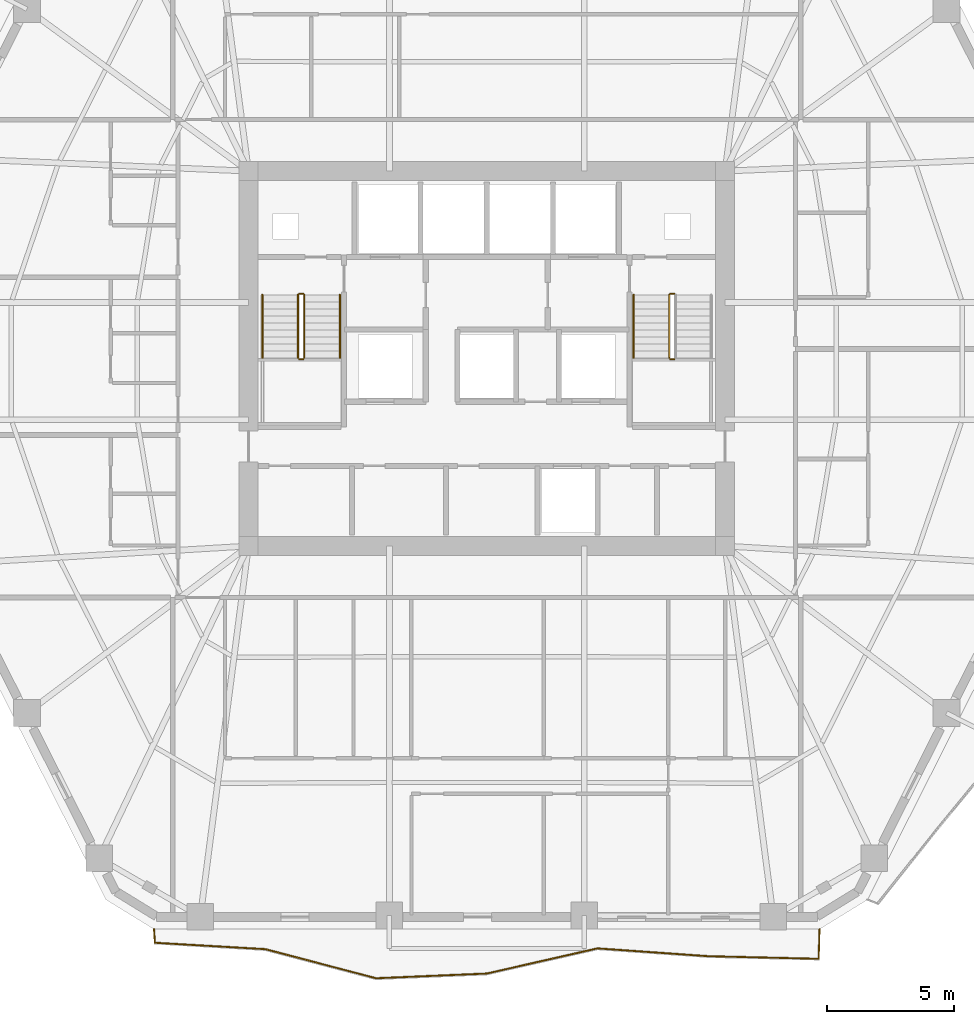
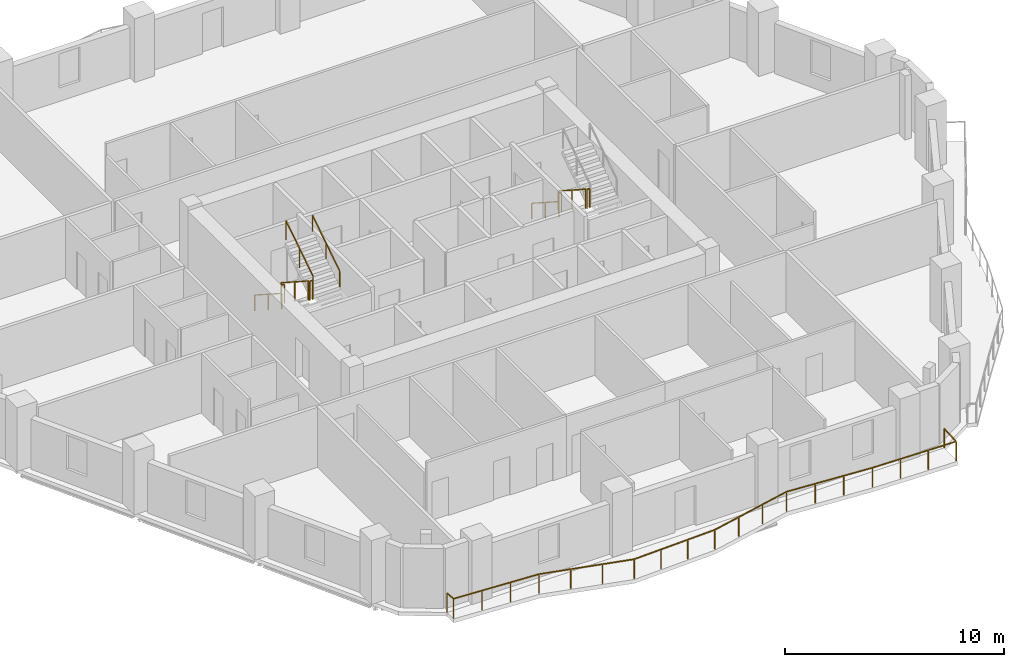
# One storey, part 9 of 10: 11 railings.
"""IFC4 building model written with IfcOpenShell, lengths in metres."""

from ifc_helpers import new_model, si_unit, direction, frame, origin, origin_2d, place, context, subcontext, project, spatial, rectangle, extrude, material, type_object, element, save


model = new_model("IFC4")

# Units and contexts
model_context = context("Model", 3, precision=1e-05, world=origin(), true_north=direction((0.0, 1.0)))
body_context = subcontext(model_context, "Body", "Model", "MODEL_VIEW")
ifc_project = project(units=[si_unit("LENGTHUNIT", "METRE"), si_unit("AREAUNIT", "SQUARE_METRE"), si_unit("VOLUMEUNIT", "CUBIC_METRE"), si_unit("PLANEANGLEUNIT", "RADIAN"), si_unit("MASSUNIT", "GRAM", prefix="KILO")], contexts=[model_context])

# Site, building, storey
site_placement = place(None, origin())
site = spatial("IfcSite", under=ifc_project, at=site_placement, CompositionType="ELEMENT")
building_placement = place(site_placement, origin())
building = spatial("IfcBuilding", under=site, at=building_placement, Name="Cinnabar Lancet Tower", CompositionType="ELEMENT")
storey_placement = place(building_placement, frame((0.0, 0.0, 119.699951171875)))
storey = spatial("IfcBuildingStorey", under=building, at=storey_placement, Name="L31", CompositionType="ELEMENT", Elevation=119.699951171875)

# Railings
ifc_material_1 = material(Name="Laminated safety glass and bronze stainless steel balustrade", Category="steel")
railing_type_1 = type_object("IfcRailingType", Name="ENV-RLG-BAL-1100", PredefinedType="BALUSTRADE", material=ifc_material_1)
railing_1_placement = place(storey_placement, frame((19.30810546875, 3.449951171875, 0.0)))
element("IfcRailing", 1, at=railing_1_placement, inside=storey, type_object=railing_type_1, Name="L31 Face 1 Wave Balcony Balustrade", PredefinedType="BALUSTRADE", context=body_context, shape_type="SweptSolid", body=[
    extrude(rectangle(XDim=0.048095703125, YDim=0.048095703125, at=origin_2d()), frame((0.0, 0.0, 1.076171875), z_axis=(0.065485568085, -0.997853516491, 0.0), x_axis=(0.997853516491, 0.065485568085, 0.0)), (0.0, 0.0, 1.0), 0.533203125),
    extrude(rectangle(XDim=0.048095703125, YDim=0.048095703125, at=origin_2d()), frame((0.034912109375, -0.531982421875, 1.076171875), z_axis=(0.998316959719, -0.057993516332, 0.0), x_axis=(0.057993516332, 0.998316959719, 0.0)), (0.0, 0.0, 1.0), 4.361328125),
    extrude(rectangle(XDim=0.048095703125, YDim=0.048095703125, at=origin_2d()), frame((4.388916015625, -0.784912109375, 1.076171875), z_axis=(0.967181302816, -0.254087243844, 0.0), x_axis=(0.254087243844, 0.967181302816, 0.0)), (0.0, 0.0, 1.0), 4.498779296875),
    extrude(rectangle(XDim=0.048095703125, YDim=0.048095703125, at=origin_2d()), frame((8.739990234375, -1.927978515625, 1.076171875), z_axis=(0.999097056007, 0.042486146898, 0.0), x_axis=(-0.042486146898, 0.999097056007, 0.0)), (0.0, 0.0, 1.0), 4.355712890625),
    extrude(rectangle(XDim=0.048095703125, YDim=0.048095703125, at=origin_2d()), frame((13.091796875, -1.742919921875, 1.076171875), z_axis=(0.97507908242, 0.221857573741, 0.0), x_axis=(-0.221857573741, 0.97507908242, 0.0)), (0.0, 0.0, 1.0), 4.462158203125),
    extrude(rectangle(XDim=0.048095703125, YDim=0.048095703125, at=origin_2d()), frame((17.44287109375, -0.7529296875, 1.076171875), z_axis=(0.997504497653, -0.070602954349, 0.0), x_axis=(0.070602954349, 0.997504497653, 0.0)), (0.0, 0.0, 1.0), 4.364013671875),
    extrude(rectangle(XDim=0.048095703125, YDim=0.048095703125, at=origin_2d()), frame((21.7958984375, -1.06103515625, 1.076171875), z_axis=(0.999720156612, -0.023656044975, 0.0), x_axis=(0.023656044975, 0.999720156612, 0.0)), (0.0, 0.0, 1.0), 4.355224609375),
    extrude(rectangle(XDim=0.048095703125, YDim=0.048095703125, at=origin_2d()), frame((26.14990234375, -1.1640625, 1.076171875), z_axis=(0.029140304327, 0.99957533116, 0.0), x_axis=(-0.99957533116, 0.029140304327, 0.0)), (0.0, 0.0, 1.0), 1.16455078125),
    extrude(rectangle(XDim=0.0419921875, YDim=0.0419921875, at=origin_2d()), origin(), (0.0, 0.0, 1.0), 1.052001953125),
    extrude(rectangle(XDim=0.0419921875, YDim=0.0419921875, at=origin_2d()), frame((0.034912109375, -0.531982421875, 0.0)), (0.0, 0.0, 1.0), 1.052001953125),
    extrude(rectangle(XDim=0.0419921875, YDim=0.0419921875, at=origin_2d()), frame((1.486328125, -0.6162109375, 0.0)), (0.0, 0.0, 1.0), 1.052001953125),
    extrude(rectangle(XDim=0.0419921875, YDim=0.0419921875, at=origin_2d()), frame((2.9375, -0.70068359375, 0.0)), (0.0, 0.0, 1.0), 1.052001953125),
    extrude(rectangle(XDim=0.0419921875, YDim=0.0419921875, at=origin_2d()), frame((4.388916015625, -0.784912109375, 0.0)), (0.0, 0.0, 1.0), 1.052001953125),
    extrude(rectangle(XDim=0.0419921875, YDim=0.0419921875, at=origin_2d()), frame((5.83935546875, -1.166015625, 0.0)), (0.0, 0.0, 1.0), 1.052001953125),
    extrude(rectangle(XDim=0.0419921875, YDim=0.0419921875, at=origin_2d()), frame((7.28955078125, -1.546875, 0.0)), (0.0, 0.0, 1.0), 1.052001953125),
    extrude(rectangle(XDim=0.0419921875, YDim=0.0419921875, at=origin_2d()), frame((8.739990234375, -1.927978515625, 0.0)), (0.0, 0.0, 1.0), 1.052001953125),
    extrude(rectangle(XDim=0.0419921875, YDim=0.0419921875, at=origin_2d()), frame((10.190673828125, -1.8662109375, 0.0)), (0.0, 0.0, 1.0), 1.052001953125),
    extrude(rectangle(XDim=0.0419921875, YDim=0.0419921875, at=origin_2d()), frame((11.64111328125, -1.8046875, 0.0)), (0.0, 0.0, 1.0), 1.052001953125),
    extrude(rectangle(XDim=0.0419921875, YDim=0.0419921875, at=origin_2d()), frame((13.091796875, -1.742919921875, 0.0)), (0.0, 0.0, 1.0), 1.052001953125),
    extrude(rectangle(XDim=0.0419921875, YDim=0.0419921875, at=origin_2d()), frame((14.542236328125, -1.412841796875, 0.0)), (0.0, 0.0, 1.0), 1.052001953125),
    extrude(rectangle(XDim=0.0419921875, YDim=0.0419921875, at=origin_2d()), frame((15.992431640625, -1.0830078125, 0.0)), (0.0, 0.0, 1.0), 1.052001953125),
    extrude(rectangle(XDim=0.0419921875, YDim=0.0419921875, at=origin_2d()), frame((17.44287109375, -0.7529296875, 0.0)), (0.0, 0.0, 1.0), 1.052001953125),
    extrude(rectangle(XDim=0.0419921875, YDim=0.0419921875, at=origin_2d()), frame((18.893798828125, -0.855712890625, 0.0)), (0.0, 0.0, 1.0), 1.052001953125),
    extrude(rectangle(XDim=0.0419921875, YDim=0.0419921875, at=origin_2d()), frame((20.344970703125, -0.958251953125, 0.0)), (0.0, 0.0, 1.0), 1.052001953125),
    extrude(rectangle(XDim=0.0419921875, YDim=0.0419921875, at=origin_2d()), frame((21.7958984375, -1.06103515625, 0.0)), (0.0, 0.0, 1.0), 1.052001953125),
    extrude(rectangle(XDim=0.0419921875, YDim=0.0419921875, at=origin_2d()), frame((23.247314453125, -1.095458984375, 0.0)), (0.0, 0.0, 1.0), 1.052001953125),
    extrude(rectangle(XDim=0.0419921875, YDim=0.0419921875, at=origin_2d()), frame((24.698486328125, -1.129638671875, 0.0)), (0.0, 0.0, 1.0), 1.052001953125),
    extrude(rectangle(XDim=0.0419921875, YDim=0.0419921875, at=origin_2d()), frame((26.14990234375, -1.1640625, 0.0)), (0.0, 0.0, 1.0), 1.052001953125),
    extrude(rectangle(XDim=0.0419921875, YDim=0.0419921875, at=origin_2d()), frame((26.183837890625, 0.0, 0.0)), (0.0, 0.0, 1.0), 1.052001953125),
])
ifc_material_2 = material(Name="Painted galvanized steel balustrade", Category="steel")
railing_type_2 = type_object("IfcRailingType", Name="GUARD-STAIR", PredefinedType="GUARDRAIL", material=ifc_material_2)
railing_2_placement = place(storey_placement, frame((24.97509765625, 28.39990234375, 0.177490234375)))
element("IfcRailing", 2, at=railing_2_placement, inside=storey, type_object=railing_type_2, Name="L31 ST-1 stair guard 1", PredefinedType="GUARDRAIL", context=body_context, shape_type="SweptSolid", body=[
    extrude(rectangle(XDim=0.048095703125, YDim=0.048095703125, at=origin_2d()), frame((0.0, 0.0, 1.076171875), z_axis=(0.0, -0.84014559416, 0.542360932049), x_axis=(1.0, 0.0, 0.0)), (0.0, 0.0, 1.0), 2.94580078125),
    extrude(rectangle(XDim=0.0419921875, YDim=0.0419921875, at=origin_2d()), origin(), (0.0, 0.0, 1.0), 1.052001953125),
    extrude(rectangle(XDim=0.0419921875, YDim=0.0419921875, at=origin_2d()), frame((0.0, -1.2373046875, 0.798828125)), (0.0, 0.0, 1.0), 1.052001953125),
    extrude(rectangle(XDim=0.0419921875, YDim=0.0419921875, at=origin_2d()), frame((0.0, -2.474853515625, 1.59765625)), (0.0, 0.0, 1.0), 1.052001953125),
])
railing_3_placement = place(storey_placement, frame((25.02490234375, 25.875, 1.775146484375)))
element("IfcRailing", 3, at=railing_3_placement, inside=storey, type_object=railing_type_2, Name="L31 ST-1 stair guard 2", PredefinedType="GUARDRAIL", context=body_context, shape_type="SweptSolid", body=[
    extrude(rectangle(XDim=0.048095703125, YDim=0.048095703125, at=origin_2d()), frame((0.0, 0.0, 1.076171875), z_axis=(1.0, 0.0, 0.0), x_axis=(0.0, 1.0, 0.0)), (0.0, 0.0, 1.0), 0.150146484375),
    extrude(rectangle(XDim=0.0419921875, YDim=0.0419921875, at=origin_2d()), origin(), (0.0, 0.0, 1.0), 1.052001953125),
    extrude(rectangle(XDim=0.0419921875, YDim=0.0419921875, at=origin_2d()), frame((0.150146484375, 0.0, 0.0)), (0.0, 0.0, 1.0), 1.052001953125),
])
railing_4_placement = place(storey_placement, frame((25.22509765625, 25.925048828125, 1.95263671875)))
element("IfcRailing", 4, at=railing_4_placement, inside=storey, type_object=railing_type_2, Name="L31 ST-1 stair guard 3", PredefinedType="GUARDRAIL", context=body_context, shape_type="SweptSolid", body=[
    extrude(rectangle(XDim=0.048095703125, YDim=0.048095703125, at=origin_2d()), frame((0.0, 0.0, 1.076171875), z_axis=(0.0, 0.840183358697, 0.542302428327), x_axis=(-1.0, 0.0, 0.0)), (0.0, 0.0, 1.0), 2.945556640625),
    extrude(rectangle(XDim=0.0419921875, YDim=0.0419921875, at=origin_2d()), origin(), (0.0, 0.0, 1.0), 1.052001953125),
    extrude(rectangle(XDim=0.0419921875, YDim=0.0419921875, at=origin_2d()), frame((0.0, 1.2373046875, 0.798828125)), (0.0, 0.0, 1.0), 1.052001953125),
    extrude(rectangle(XDim=0.0419921875, YDim=0.0419921875, at=origin_2d()), frame((0.0, 2.474853515625, 1.597412109375)), (0.0, 0.0, 1.0), 1.052001953125),
])
railing_5_placement = place(storey_placement, frame((25.02490234375, 28.449951171875, 0.0)))
element("IfcRailing", 5, at=railing_5_placement, inside=storey, type_object=railing_type_2, Name="L31 ST-1 stair guard 4", PredefinedType="GUARDRAIL", context=body_context, shape_type="SweptSolid", body=[
    extrude(rectangle(XDim=0.048095703125, YDim=0.048095703125, at=origin_2d()), frame((0.0, 0.0, 1.076171875), z_axis=(1.0, 0.0, 0.0), x_axis=(0.0, 1.0, 0.0)), (0.0, 0.0, 1.0), 0.150146484375),
    extrude(rectangle(XDim=0.0419921875, YDim=0.0419921875, at=origin_2d()), origin(), (0.0, 0.0, 1.0), 1.052001953125),
    extrude(rectangle(XDim=0.0419921875, YDim=0.0419921875, at=origin_2d()), frame((0.150146484375, 0.0, 0.0)), (0.0, 0.0, 1.0), 1.052001953125),
])
railing_6_placement = place(storey_placement, frame((39.574951171875, 28.39990234375, 0.177490234375)))
element("IfcRailing", 6, at=railing_6_placement, inside=storey, type_object=railing_type_2, Name="L31 ST-2 stair guard 1", PredefinedType="GUARDRAIL", context=body_context, shape_type="SweptSolid", body=[
    extrude(rectangle(XDim=0.048095703125, YDim=0.048095703125, at=origin_2d()), frame((0.0, 0.0, 1.076171875), z_axis=(0.0, -0.84014559416, 0.542360932049), x_axis=(1.0, 0.0, 0.0)), (0.0, 0.0, 1.0), 2.94580078125),
    extrude(rectangle(XDim=0.0419921875, YDim=0.0419921875, at=origin_2d()), origin(), (0.0, 0.0, 1.0), 1.052001953125),
    extrude(rectangle(XDim=0.0419921875, YDim=0.0419921875, at=origin_2d()), frame((0.0, -1.2373046875, 0.798828125)), (0.0, 0.0, 1.0), 1.052001953125),
    extrude(rectangle(XDim=0.0419921875, YDim=0.0419921875, at=origin_2d()), frame((0.0, -2.474853515625, 1.59765625)), (0.0, 0.0, 1.0), 1.052001953125),
])
for number, where, name in (
    (7, (39.625, 25.875, 1.775146484375), "L31 ST-2 stair guard 2"),
    (8, (39.625, 28.449951171875, 0.0), "L31 ST-2 stair guard 4"),
):
    element("IfcRailing", number, at=place(storey_placement, frame(where)), inside=storey, type_object=railing_type_2, Name=name, PredefinedType="GUARDRAIL", context=body_context, shape_type="SweptSolid", body=[
        extrude(rectangle(XDim=0.048095703125, YDim=0.048095703125, at=origin_2d()), frame((0.0, 0.0, 1.076171875), z_axis=(1.0, 0.0, 0.0), x_axis=(0.0, 1.0, 0.0)), (0.0, 0.0, 1.0), 0.14990234375),
        extrude(rectangle(XDim=0.0419921875, YDim=0.0419921875, at=origin_2d()), origin(), (0.0, 0.0, 1.0), 1.052001953125),
        extrude(rectangle(XDim=0.0419921875, YDim=0.0419921875, at=origin_2d()), frame((0.14990234375, 0.0, 0.0)), (0.0, 0.0, 1.0), 1.052001953125),
    ])
ifc_material_3 = material(Name="Brushed stainless steel handrail", Category="steel")
railing_type_3 = type_object("IfcRailingType", Name="HANDRAIL-STAIR", PredefinedType="HANDRAIL", material=ifc_material_3)
railing_7_placement = place(storey_placement, frame((23.574951171875, 28.39990234375, 0.177490234375)))
element("IfcRailing", 9, at=railing_7_placement, inside=storey, type_object=railing_type_3, Name="L31 ST-1 stair handrail 1", PredefinedType="HANDRAIL", context=body_context, shape_type="SweptSolid", body=[
    extrude(rectangle(XDim=0.048095703125, YDim=0.048095703125, at=origin_2d()), frame((0.0, 0.0, 0.8759765625), z_axis=(0.0, -0.84014559416, 0.542360932049), x_axis=(1.0, 0.0, 0.0)), (0.0, 0.0, 1.0), 2.94580078125),
    extrude(rectangle(XDim=0.0419921875, YDim=0.0419921875, at=origin_2d()), origin(), (0.0, 0.0, 1.0), 0.851806640625),
    extrude(rectangle(XDim=0.0419921875, YDim=0.0419921875, at=origin_2d()), frame((0.0, -1.2373046875, 0.798828125)), (0.0, 0.0, 1.0), 0.851806640625),
    extrude(rectangle(XDim=0.0419921875, YDim=0.0419921875, at=origin_2d()), frame((0.0, -2.474853515625, 1.59765625)), (0.0, 0.0, 1.0), 0.851806640625),
])
railing_8_placement = place(storey_placement, frame((26.625, 25.925048828125, 1.95263671875)))
element("IfcRailing", 10, at=railing_8_placement, inside=storey, type_object=railing_type_3, Name="L31 ST-1 stair handrail 2", PredefinedType="HANDRAIL", context=body_context, shape_type="SweptSolid", body=[
    extrude(rectangle(XDim=0.048095703125, YDim=0.048095703125, at=origin_2d()), frame((0.0, 0.0, 0.8759765625), z_axis=(0.0, 0.840183358697, 0.542302428327), x_axis=(-1.0, 0.0, 0.0)), (0.0, 0.0, 1.0), 2.945556640625),
    extrude(rectangle(XDim=0.0419921875, YDim=0.0419921875, at=origin_2d()), origin(), (0.0, 0.0, 1.0), 0.851806640625),
    extrude(rectangle(XDim=0.0419921875, YDim=0.0419921875, at=origin_2d()), frame((0.0, 1.2373046875, 0.798828125)), (0.0, 0.0, 1.0), 0.851806640625),
    extrude(rectangle(XDim=0.0419921875, YDim=0.0419921875, at=origin_2d()), frame((0.0, 2.474853515625, 1.597412109375)), (0.0, 0.0, 1.0), 0.851806640625),
])
railing_9_placement = place(storey_placement, frame((38.175048828125, 28.39990234375, 0.177490234375)))
element("IfcRailing", 11, at=railing_9_placement, inside=storey, type_object=railing_type_3, Name="L31 ST-2 stair handrail 1", PredefinedType="HANDRAIL", context=body_context, shape_type="SweptSolid", body=[
    extrude(rectangle(XDim=0.048095703125, YDim=0.048095703125, at=origin_2d()), frame((0.0, 0.0, 0.8759765625), z_axis=(0.0, -0.84014559416, 0.542360932049), x_axis=(1.0, 0.0, 0.0)), (0.0, 0.0, 1.0), 2.94580078125),
    extrude(rectangle(XDim=0.0419921875, YDim=0.0419921875, at=origin_2d()), origin(), (0.0, 0.0, 1.0), 0.851806640625),
    extrude(rectangle(XDim=0.0419921875, YDim=0.0419921875, at=origin_2d()), frame((0.0, -1.2373046875, 0.798828125)), (0.0, 0.0, 1.0), 0.851806640625),
    extrude(rectangle(XDim=0.0419921875, YDim=0.0419921875, at=origin_2d()), frame((0.0, -2.474853515625, 1.59765625)), (0.0, 0.0, 1.0), 0.851806640625),
])

save(model, "model.ifc")
